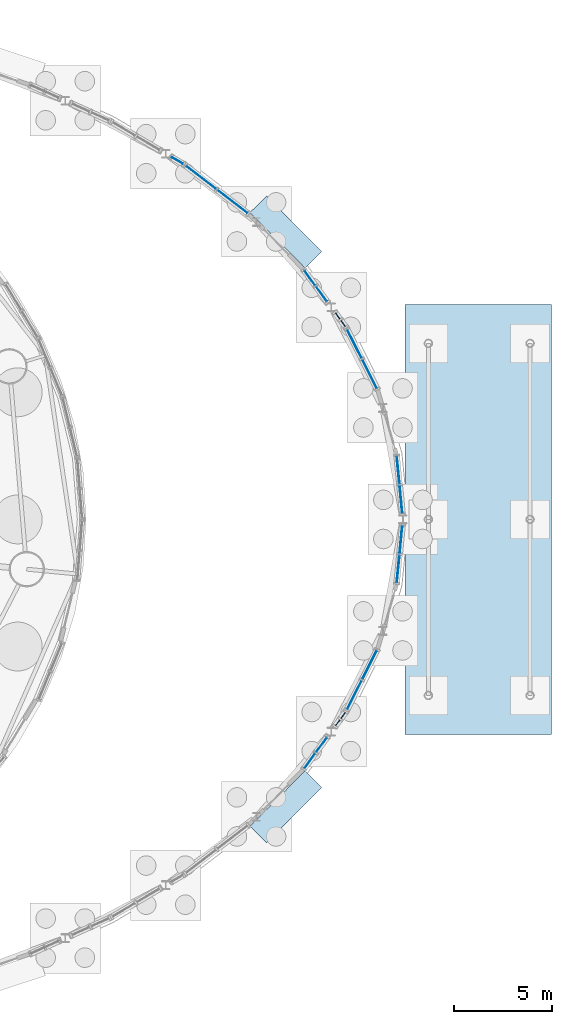
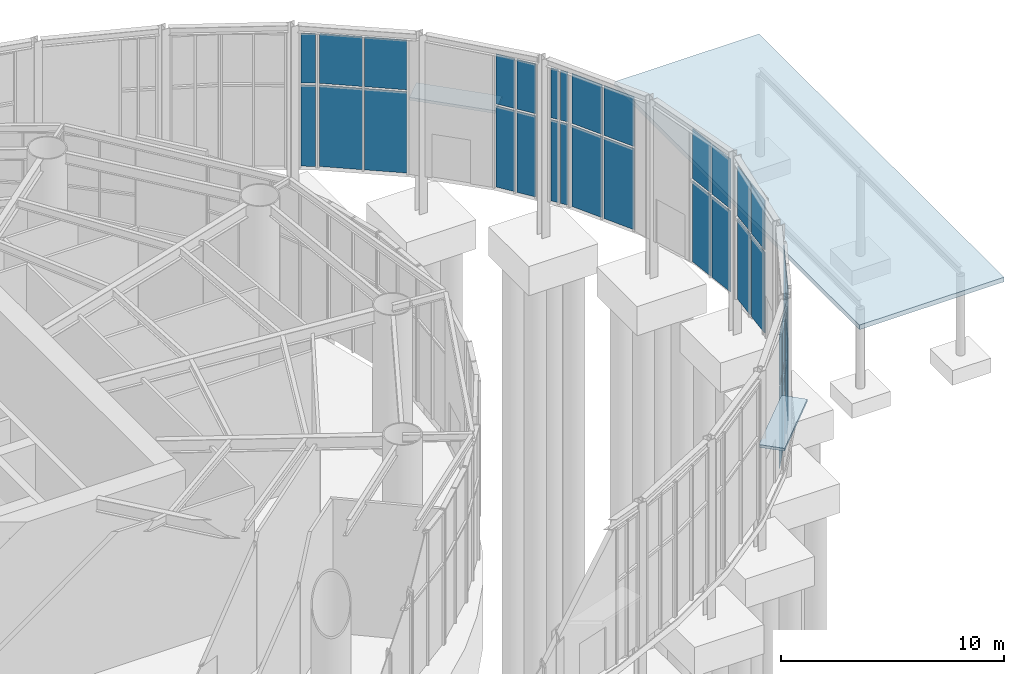
# One storey, part 20 of 27: 41 plates, 10 elements without a shape of their own.
"""IFC4 building model written with IfcOpenShell, lengths in metres."""

from ifc_helpers import new_model, si_unit, direction, frame, origin, origin_2d, place, context, subcontext, project, spatial, rectangle, extrude, material, layer, layer_set, type_object, element, aggregate, save


model = new_model("IFC4")

# Units and contexts
model_context = context("Model", 3, precision=1e-05, world=origin(), true_north=direction((0.0, 1.0)))
body_context = subcontext(model_context, "Body", "Model", "MODEL_VIEW")
ifc_project = project(units=[si_unit("LENGTHUNIT", "METRE"), si_unit("AREAUNIT", "SQUARE_METRE"), si_unit("VOLUMEUNIT", "CUBIC_METRE"), si_unit("PLANEANGLEUNIT", "RADIAN"), si_unit("MASSUNIT", "GRAM", prefix="KILO")], contexts=[model_context])

# Site, building, storey
site_placement = place(None, origin())
site = spatial("IfcSite", under=ifc_project, at=site_placement, CompositionType="ELEMENT")
building_placement = place(site_placement, origin())
building = spatial("IfcBuilding", under=site, at=building_placement, Name="Vermilion Reach Broadcast Tower", CompositionType="ELEMENT")
storey_placement = place(building_placement, origin())
storey = spatial("IfcBuildingStorey", under=building, at=storey_placement, Name="L00", CompositionType="ELEMENT", Elevation=0.0)

# Curtain wall, plates
ifc_material_1 = material(Name="Low-e laminated clear glass in aluminium frame", Category="aluminium")
curtain_wall_type = type_object("IfcCurtainWallType", Name="Atrium outer wall curtain wall", PredefinedType="NOTDEFINED", material=ifc_material_1)
placement = place(storey_placement, origin())
curtain_wall_1 = element("IfcCurtainWall", 1, at=placement, inside=storey, type_object=curtain_wall_type, Name="Atrium wall L00 01-1", PredefinedType="NOTDEFINED")
ifc_material_2 = material(Name="Low-e laminated clear glass", Category="glass")
ifc_layer_1 = layer(ifc_material_2, 0.035888671875)
ifc_layer_set_1 = layer_set([ifc_layer_1], Name="Atrium outer wall glass panel")
plate_type_1 = type_object("IfcPlateType", Name="Atrium outer wall glass panel", PredefinedType="CURTAIN_PANEL", material=ifc_layer_set_1)
plate_1_placement = place(storey_placement, frame((34.93359375, -12.3505859375, 0.0), z_axis=(0.0, 0.0, 1.0), x_axis=(0.590759824697, 0.806847463604, 0.0)))
plate_1 = element("IfcPlate", 2, at=plate_1_placement, type_object=plate_type_1, Name="Atrium wall glass panel L00 01-1.1.1", PredefinedType="CURTAIN_PANEL", context=body_context, shape_type="SweptSolid", body=[
    extrude(rectangle(XDim=0.92578125, YDim=0.035888671875, at=origin_2d()), origin(), (0.0, 0.0, 1.0), 4.43994140625),
])
plate_2_placement = place(storey_placement, frame((34.93359375, -12.3505859375, 4.56005859375), z_axis=(0.0, 0.0, 1.0), x_axis=(0.590759824697, 0.806847463604, 0.0)))
plate_2 = element("IfcPlate", 3, at=plate_2_placement, type_object=plate_type_1, Name="Atrium wall glass panel L00 01-1.1.2", PredefinedType="CURTAIN_PANEL", context=body_context, shape_type="SweptSolid", body=[
    extrude(rectangle(XDim=0.92578125, YDim=0.035888671875, at=origin_2d()), origin(), (0.0, 0.0, 1.0), 2.72998046875),
])
plate_3_placement = place(storey_placement, frame((35.539794921875, -11.52294921875, 0.0), z_axis=(0.0, 0.0, 1.0), x_axis=(0.590759824697, 0.806847463604, 0.0)))
plate_3 = element("IfcPlate", 4, at=plate_3_placement, type_object=plate_type_1, Name="Atrium wall glass panel L00 01-1.2.1", PredefinedType="CURTAIN_PANEL", context=body_context, shape_type="SweptSolid", body=[
    extrude(rectangle(XDim=0.92578125, YDim=0.035888671875, at=origin_2d()), origin(), (0.0, 0.0, 1.0), 4.43994140625),
])
plate_4_placement = place(storey_placement, frame((35.539794921875, -11.52294921875, 4.56005859375), z_axis=(0.0, 0.0, 1.0), x_axis=(0.590759824697, 0.806847463604, 0.0)))
plate_4 = element("IfcPlate", 5, at=plate_4_placement, type_object=plate_type_1, Name="Atrium wall glass panel L00 01-1.2.2", PredefinedType="CURTAIN_PANEL", context=body_context, shape_type="SweptSolid", body=[
    extrude(rectangle(XDim=0.92578125, YDim=0.035888671875, at=origin_2d()), origin(), (0.0, 0.0, 1.0), 2.72998046875),
])
aggregate(curtain_wall_1, [plate_1, plate_2, plate_3, plate_4])

curtain_wall_2 = element("IfcCurtainWall", 6, at=placement, inside=storey, type_object=curtain_wall_type, Name="Atrium wall L00 01-2", PredefinedType="NOTDEFINED")
plate_5_placement = place(storey_placement, frame((36.36328125, -10.39794921875, 0.0), z_axis=(0.0, 0.0, 1.0), x_axis=(0.590759824697, 0.806847463604, 0.0)))
plate_5 = element("IfcPlate", 7, at=plate_5_placement, type_object=plate_type_1, Name="Atrium wall glass panel L00 01-2.1.1", PredefinedType="CURTAIN_PANEL", context=body_context, shape_type="SweptSolid", body=[
    extrude(rectangle(XDim=0.36669921875, YDim=0.035888671875, at=origin_2d()), origin(), (0.0, 0.0, 1.0), 4.43994140625),
])
plate_6_placement = place(storey_placement, frame((36.36328125, -10.39794921875, 4.56005859375), z_axis=(0.0, 0.0, 1.0), x_axis=(0.590759824697, 0.806847463604, 0.0)))
plate_6 = element("IfcPlate", 8, at=plate_6_placement, type_object=plate_type_1, Name="Atrium wall glass panel L00 01-2.1.2", PredefinedType="CURTAIN_PANEL", context=body_context, shape_type="SweptSolid", body=[
    extrude(rectangle(XDim=0.36669921875, YDim=0.035888671875, at=origin_2d()), origin(), (0.0, 0.0, 1.0), 2.72998046875),
])
plate_7_placement = place(storey_placement, frame((36.63916015625, -10.021240234375, 0.0), z_axis=(0.0, 0.0, 1.0), x_axis=(0.590759824697, 0.806847463604, 0.0)))
plate_7 = element("IfcPlate", 9, at=plate_7_placement, type_object=plate_type_1, Name="Atrium wall glass panel L00 01-2.2.1", PredefinedType="CURTAIN_PANEL", context=body_context, shape_type="SweptSolid", body=[
    extrude(rectangle(XDim=0.36669921875, YDim=0.035888671875, at=origin_2d()), origin(), (0.0, 0.0, 1.0), 4.43994140625),
])
plate_8_placement = place(storey_placement, frame((36.63916015625, -10.021240234375, 4.56005859375), z_axis=(0.0, 0.0, 1.0), x_axis=(0.590759824697, 0.806847463604, 0.0)))
plate_8 = element("IfcPlate", 10, at=plate_8_placement, type_object=plate_type_1, Name="Atrium wall glass panel L00 01-2.2.2", PredefinedType="CURTAIN_PANEL", context=body_context, shape_type="SweptSolid", body=[
    extrude(rectangle(XDim=0.36669921875, YDim=0.035888671875, at=origin_2d()), origin(), (0.0, 0.0, 1.0), 2.72998046875),
])
aggregate(curtain_wall_2, [plate_5, plate_6, plate_7, plate_8])

curtain_wall_3 = element("IfcCurtainWall", 11, at=placement, inside=storey, type_object=curtain_wall_type, Name="Atrium wall L00 02", PredefinedType="NOTDEFINED")
plate_9_placement = place(storey_placement, frame((37.2177734375, -8.976806640625, 0.0), z_axis=(0.0, 0.0, 1.0), x_axis=(0.450071784356, 0.892992378986, 0.0)))
plate_9 = element("IfcPlate", 12, at=plate_9_placement, type_object=plate_type_1, Name="Atrium wall glass panel L00 02.1.1", PredefinedType="CURTAIN_PANEL", context=body_context, shape_type="SweptSolid", body=[
    extrude(rectangle(XDim=1.627197265625, YDim=0.035888671875, at=origin_2d()), origin(), (0.0, 0.0, 1.0), 4.43994140625),
])
plate_10_placement = place(storey_placement, frame((37.2177734375, -8.976806640625, 4.56005859375), z_axis=(0.0, 0.0, 1.0), x_axis=(0.450071784356, 0.892992378986, 0.0)))
plate_10 = element("IfcPlate", 13, at=plate_10_placement, type_object=plate_type_1, Name="Atrium wall glass panel L00 02.1.2", PredefinedType="CURTAIN_PANEL", context=body_context, shape_type="SweptSolid", body=[
    extrude(rectangle(XDim=1.627197265625, YDim=0.035888671875, at=origin_2d()), origin(), (0.0, 0.0, 1.0), 2.72998046875),
])
plate_11_placement = place(storey_placement, frame((37.9951171875, -7.434326171875, 0.0), z_axis=(0.0, 0.0, 1.0), x_axis=(0.450071784356, 0.892992378986, 0.0)))
plate_11 = element("IfcPlate", 14, at=plate_11_placement, type_object=plate_type_1, Name="Atrium wall glass panel L00 02.2.1", PredefinedType="CURTAIN_PANEL", context=body_context, shape_type="SweptSolid", body=[
    extrude(rectangle(XDim=1.627197265625, YDim=0.035888671875, at=origin_2d()), origin(), (0.0, 0.0, 1.0), 4.43994140625),
])
plate_12_placement = place(storey_placement, frame((37.9951171875, -7.434326171875, 4.56005859375), z_axis=(0.0, 0.0, 1.0), x_axis=(0.450071784356, 0.892992378986, 0.0)))
plate_12 = element("IfcPlate", 15, at=plate_12_placement, type_object=plate_type_1, Name="Atrium wall glass panel L00 02.2.2", PredefinedType="CURTAIN_PANEL", context=body_context, shape_type="SweptSolid", body=[
    extrude(rectangle(XDim=1.627197265625, YDim=0.035888671875, at=origin_2d()), origin(), (0.0, 0.0, 1.0), 2.72998046875),
])
aggregate(curtain_wall_3, [plate_9, plate_10, plate_11, plate_12])

curtain_wall_4 = element("IfcCurtainWall", 16, at=placement, inside=storey, type_object=curtain_wall_type, Name="Atrium wall L00 01", PredefinedType="NOTDEFINED")
plate_13_placement = place(storey_placement, frame((39.4541015625, -2.530517578125, 0.0), z_axis=(0.0, 0.0, 1.0), x_axis=(0.096860665643, 0.995297951094, 0.0)))
plate_13 = element("IfcPlate", 17, at=plate_13_placement, type_object=plate_type_1, Name="Atrium wall glass panel L00 01.1.1", PredefinedType="CURTAIN_PANEL", context=body_context, shape_type="SweptSolid", body=[
    extrude(rectangle(XDim=1.4189453125, YDim=0.035888671875, at=origin_2d()), origin(), (0.0, 0.0, 1.0), 4.43994140625),
])
plate_14_placement = place(storey_placement, frame((39.4541015625, -2.530517578125, 4.56005859375), z_axis=(0.0, 0.0, 1.0), x_axis=(0.096860665643, 0.995297951094, 0.0)))
plate_14 = element("IfcPlate", 18, at=plate_14_placement, type_object=plate_type_1, Name="Atrium wall glass panel L00 01.1.2", PredefinedType="CURTAIN_PANEL", context=body_context, shape_type="SweptSolid", body=[
    extrude(rectangle(XDim=1.4189453125, YDim=0.035888671875, at=origin_2d()), origin(), (0.0, 0.0, 1.0), 2.72998046875),
])
plate_15_placement = place(storey_placement, frame((39.601318359375, -1.0185546875, 0.0), z_axis=(0.0, 0.0, 1.0), x_axis=(0.096860665643, 0.995297951094, 0.0)))
plate_15 = element("IfcPlate", 19, at=plate_15_placement, type_object=plate_type_1, Name="Atrium wall glass panel L00 01.2.1", PredefinedType="CURTAIN_PANEL", context=body_context, shape_type="SweptSolid", body=[
    extrude(rectangle(XDim=1.4189453125, YDim=0.035888671875, at=origin_2d()), origin(), (0.0, 0.0, 1.0), 4.43994140625),
])
plate_16_placement = place(storey_placement, frame((39.601318359375, -1.0185546875, 4.56005859375), z_axis=(0.0, 0.0, 1.0), x_axis=(0.096860665643, 0.995297951094, 0.0)))
plate_16 = element("IfcPlate", 20, at=plate_16_placement, type_object=plate_type_1, Name="Atrium wall glass panel L00 01.2.2", PredefinedType="CURTAIN_PANEL", context=body_context, shape_type="SweptSolid", body=[
    extrude(rectangle(XDim=1.4189453125, YDim=0.035888671875, at=origin_2d()), origin(), (0.0, 0.0, 1.0), 2.72998046875),
])
aggregate(curtain_wall_4, [plate_13, plate_14, plate_15, plate_16])

curtain_wall_5 = element("IfcCurtainWall", 21, at=placement, inside=storey, type_object=curtain_wall_type, Name="Atrium wall L00 02", PredefinedType="NOTDEFINED")
plate_17_placement = place(storey_placement, frame((39.601318359375, 1.0185546875, 0.0), z_axis=(0.0, 0.0, 1.0), x_axis=(-0.096860665643, 0.995297951094, 0.0)))
plate_17 = element("IfcPlate", 22, at=plate_17_placement, type_object=plate_type_1, Name="Atrium wall glass panel L00 02.1.1", PredefinedType="CURTAIN_PANEL", context=body_context, shape_type="SweptSolid", body=[
    extrude(rectangle(XDim=1.4189453125, YDim=0.035888671875, at=origin_2d()), origin(), (0.0, 0.0, 1.0), 4.43994140625),
])
plate_18_placement = place(storey_placement, frame((39.601318359375, 1.0185546875, 4.56005859375), z_axis=(0.0, 0.0, 1.0), x_axis=(-0.096860665643, 0.995297951094, 0.0)))
plate_18 = element("IfcPlate", 23, at=plate_18_placement, type_object=plate_type_1, Name="Atrium wall glass panel L00 02.1.2", PredefinedType="CURTAIN_PANEL", context=body_context, shape_type="SweptSolid", body=[
    extrude(rectangle(XDim=1.4189453125, YDim=0.035888671875, at=origin_2d()), origin(), (0.0, 0.0, 1.0), 2.72998046875),
])
plate_19_placement = place(storey_placement, frame((39.4541015625, 2.530517578125, 0.0), z_axis=(0.0, 0.0, 1.0), x_axis=(-0.096860665643, 0.995297951094, 0.0)))
plate_19 = element("IfcPlate", 24, at=plate_19_placement, type_object=plate_type_1, Name="Atrium wall glass panel L00 02.2.1", PredefinedType="CURTAIN_PANEL", context=body_context, shape_type="SweptSolid", body=[
    extrude(rectangle(XDim=1.4189453125, YDim=0.035888671875, at=origin_2d()), origin(), (0.0, 0.0, 1.0), 4.43994140625),
])
plate_20_placement = place(storey_placement, frame((39.4541015625, 2.530517578125, 4.56005859375), z_axis=(0.0, 0.0, 1.0), x_axis=(-0.096860665643, 0.995297951094, 0.0)))
plate_20 = element("IfcPlate", 25, at=plate_20_placement, type_object=plate_type_1, Name="Atrium wall glass panel L00 02.2.2", PredefinedType="CURTAIN_PANEL", context=body_context, shape_type="SweptSolid", body=[
    extrude(rectangle(XDim=1.4189453125, YDim=0.035888671875, at=origin_2d()), origin(), (0.0, 0.0, 1.0), 2.72998046875),
])
aggregate(curtain_wall_5, [plate_17, plate_18, plate_19, plate_20])

curtain_wall_6 = element("IfcCurtainWall", 26, at=placement, inside=storey, type_object=curtain_wall_type, Name="Atrium wall L00 01", PredefinedType="NOTDEFINED")
plate_21_placement = place(storey_placement, frame((37.9951171875, 7.434326171875, 0.0), z_axis=(0.0, 0.0, 1.0), x_axis=(-0.450071784356, 0.892992378986, 0.0)))
plate_21 = element("IfcPlate", 27, at=plate_21_placement, type_object=plate_type_1, Name="Atrium wall glass panel L00 01.1.1", PredefinedType="CURTAIN_PANEL", context=body_context, shape_type="SweptSolid", body=[
    extrude(rectangle(XDim=1.627197265625, YDim=0.035888671875, at=origin_2d()), origin(), (0.0, 0.0, 1.0), 4.43994140625),
])
plate_22_placement = place(storey_placement, frame((37.9951171875, 7.434326171875, 4.56005859375), z_axis=(0.0, 0.0, 1.0), x_axis=(-0.450071784356, 0.892992378986, 0.0)))
plate_22 = element("IfcPlate", 28, at=plate_22_placement, type_object=plate_type_1, Name="Atrium wall glass panel L00 01.1.2", PredefinedType="CURTAIN_PANEL", context=body_context, shape_type="SweptSolid", body=[
    extrude(rectangle(XDim=1.627197265625, YDim=0.035888671875, at=origin_2d()), origin(), (0.0, 0.0, 1.0), 2.72998046875),
])
plate_23_placement = place(storey_placement, frame((37.2177734375, 8.976806640625, 0.0), z_axis=(0.0, 0.0, 1.0), x_axis=(-0.450071784356, 0.892992378986, 0.0)))
plate_23 = element("IfcPlate", 29, at=plate_23_placement, type_object=plate_type_1, Name="Atrium wall glass panel L00 01.2.1", PredefinedType="CURTAIN_PANEL", context=body_context, shape_type="SweptSolid", body=[
    extrude(rectangle(XDim=1.627197265625, YDim=0.035888671875, at=origin_2d()), origin(), (0.0, 0.0, 1.0), 4.43994140625),
])
plate_24_placement = place(storey_placement, frame((37.2177734375, 8.976806640625, 4.56005859375), z_axis=(0.0, 0.0, 1.0), x_axis=(-0.450071784356, 0.892992378986, 0.0)))
plate_24 = element("IfcPlate", 30, at=plate_24_placement, type_object=plate_type_1, Name="Atrium wall glass panel L00 01.2.2", PredefinedType="CURTAIN_PANEL", context=body_context, shape_type="SweptSolid", body=[
    extrude(rectangle(XDim=1.627197265625, YDim=0.035888671875, at=origin_2d()), origin(), (0.0, 0.0, 1.0), 2.72998046875),
])
aggregate(curtain_wall_6, [plate_21, plate_22, plate_23, plate_24])

curtain_wall_7 = element("IfcCurtainWall", 31, at=placement, inside=storey, type_object=curtain_wall_type, Name="Atrium wall L00 02-1", PredefinedType="NOTDEFINED")
plate_25_placement = place(storey_placement, frame((36.63916015625, 10.021240234375, 0.0), z_axis=(0.0, 0.0, 1.0), x_axis=(-0.590759824697, 0.806847463604, 0.0)))
plate_25 = element("IfcPlate", 32, at=plate_25_placement, type_object=plate_type_1, Name="Atrium wall glass panel L00 02-1.1.1", PredefinedType="CURTAIN_PANEL", context=body_context, shape_type="SweptSolid", body=[
    extrude(rectangle(XDim=0.36669921875, YDim=0.035888671875, at=origin_2d()), origin(), (0.0, 0.0, 1.0), 4.43994140625),
])
plate_26_placement = place(storey_placement, frame((36.63916015625, 10.021240234375, 4.56005859375), z_axis=(0.0, 0.0, 1.0), x_axis=(-0.590759824697, 0.806847463604, 0.0)))
plate_26 = element("IfcPlate", 33, at=plate_26_placement, type_object=plate_type_1, Name="Atrium wall glass panel L00 02-1.1.2", PredefinedType="CURTAIN_PANEL", context=body_context, shape_type="SweptSolid", body=[
    extrude(rectangle(XDim=0.36669921875, YDim=0.035888671875, at=origin_2d()), origin(), (0.0, 0.0, 1.0), 2.72998046875),
])
plate_27_placement = place(storey_placement, frame((36.36328125, 10.39794921875, 0.0), z_axis=(0.0, 0.0, 1.0), x_axis=(-0.590759824697, 0.806847463604, 0.0)))
plate_27 = element("IfcPlate", 34, at=plate_27_placement, type_object=plate_type_1, Name="Atrium wall glass panel L00 02-1.2.1", PredefinedType="CURTAIN_PANEL", context=body_context, shape_type="SweptSolid", body=[
    extrude(rectangle(XDim=0.36669921875, YDim=0.035888671875, at=origin_2d()), origin(), (0.0, 0.0, 1.0), 4.43994140625),
])
plate_28_placement = place(storey_placement, frame((36.36328125, 10.39794921875, 4.56005859375), z_axis=(0.0, 0.0, 1.0), x_axis=(-0.590759824697, 0.806847463604, 0.0)))
plate_28 = element("IfcPlate", 35, at=plate_28_placement, type_object=plate_type_1, Name="Atrium wall glass panel L00 02-1.2.2", PredefinedType="CURTAIN_PANEL", context=body_context, shape_type="SweptSolid", body=[
    extrude(rectangle(XDim=0.36669921875, YDim=0.035888671875, at=origin_2d()), origin(), (0.0, 0.0, 1.0), 2.72998046875),
])
aggregate(curtain_wall_7, [plate_25, plate_26, plate_27, plate_28])

curtain_wall_8 = element("IfcCurtainWall", 36, at=placement, inside=storey, type_object=curtain_wall_type, Name="Atrium wall L00 02-2", PredefinedType="NOTDEFINED")
plate_29_placement = place(storey_placement, frame((35.539794921875, 11.52294921875, 0.0), z_axis=(0.0, 0.0, 1.0), x_axis=(-0.590759824697, 0.806847463604, 0.0)))
plate_29 = element("IfcPlate", 37, at=plate_29_placement, type_object=plate_type_1, Name="Atrium wall glass panel L00 02-2.1.1", PredefinedType="CURTAIN_PANEL", context=body_context, shape_type="SweptSolid", body=[
    extrude(rectangle(XDim=0.92578125, YDim=0.035888671875, at=origin_2d()), origin(), (0.0, 0.0, 1.0), 4.43994140625),
])
plate_30_placement = place(storey_placement, frame((35.539794921875, 11.52294921875, 4.56005859375), z_axis=(0.0, 0.0, 1.0), x_axis=(-0.590759824697, 0.806847463604, 0.0)))
plate_30 = element("IfcPlate", 38, at=plate_30_placement, type_object=plate_type_1, Name="Atrium wall glass panel L00 02-2.1.2", PredefinedType="CURTAIN_PANEL", context=body_context, shape_type="SweptSolid", body=[
    extrude(rectangle(XDim=0.92578125, YDim=0.035888671875, at=origin_2d()), origin(), (0.0, 0.0, 1.0), 2.72998046875),
])
plate_31_placement = place(storey_placement, frame((34.93359375, 12.3505859375, 0.0), z_axis=(0.0, 0.0, 1.0), x_axis=(-0.590759824697, 0.806847463604, 0.0)))
plate_31 = element("IfcPlate", 39, at=plate_31_placement, type_object=plate_type_1, Name="Atrium wall glass panel L00 02-2.2.1", PredefinedType="CURTAIN_PANEL", context=body_context, shape_type="SweptSolid", body=[
    extrude(rectangle(XDim=0.92578125, YDim=0.035888671875, at=origin_2d()), origin(), (0.0, 0.0, 1.0), 4.43994140625),
])
plate_32_placement = place(storey_placement, frame((34.93359375, 12.3505859375, 4.56005859375), z_axis=(0.0, 0.0, 1.0), x_axis=(-0.590759824697, 0.806847463604, 0.0)))
plate_32 = element("IfcPlate", 40, at=plate_32_placement, type_object=plate_type_1, Name="Atrium wall glass panel L00 02-2.2.2", PredefinedType="CURTAIN_PANEL", context=body_context, shape_type="SweptSolid", body=[
    extrude(rectangle(XDim=0.92578125, YDim=0.035888671875, at=origin_2d()), origin(), (0.0, 0.0, 1.0), 2.72998046875),
])
aggregate(curtain_wall_8, [plate_29, plate_30, plate_31, plate_32])

curtain_wall_9 = element("IfcCurtainWall", 41, at=placement, inside=storey, type_object=curtain_wall_type, Name="Atrium wall L00 01", PredefinedType="NOTDEFINED")
plate_33_placement = place(storey_placement, frame((30.981201171875, 16.2509765625, 0.0), z_axis=(0.0, 0.0, 1.0), x_axis=(-0.793082736826, 0.609113924113, 0.0)))
plate_33 = element("IfcPlate", 42, at=plate_33_placement, type_object=plate_type_1, Name="Atrium wall glass panel L00 01.1.1", PredefinedType="CURTAIN_PANEL", context=body_context, shape_type="SweptSolid", body=[
    extrude(rectangle(XDim=1.9296875, YDim=0.035888671875, at=origin_2d()), origin(), (0.0, 0.0, 1.0), 4.43994140625),
])
plate_34_placement = place(storey_placement, frame((30.981201171875, 16.2509765625, 4.56005859375), z_axis=(0.0, 0.0, 1.0), x_axis=(-0.793082736826, 0.609113924113, 0.0)))
plate_34 = element("IfcPlate", 43, at=plate_34_placement, type_object=plate_type_1, Name="Atrium wall glass panel L00 01.1.2", PredefinedType="CURTAIN_PANEL", context=body_context, shape_type="SweptSolid", body=[
    extrude(rectangle(XDim=1.9296875, YDim=0.035888671875, at=origin_2d()), origin(), (0.0, 0.0, 1.0), 2.72998046875),
])
plate_35_placement = place(storey_placement, frame((29.37158203125, 17.4873046875, 0.0), z_axis=(0.0, 0.0, 1.0), x_axis=(-0.793082736826, 0.609113924113, 0.0)))
plate_35 = element("IfcPlate", 44, at=plate_35_placement, type_object=plate_type_1, Name="Atrium wall glass panel L00 01.2.1", PredefinedType="CURTAIN_PANEL", context=body_context, shape_type="SweptSolid", body=[
    extrude(rectangle(XDim=1.9296875, YDim=0.035888671875, at=origin_2d()), origin(), (0.0, 0.0, 1.0), 4.43994140625),
])
plate_36_placement = place(storey_placement, frame((29.37158203125, 17.4873046875, 4.56005859375), z_axis=(0.0, 0.0, 1.0), x_axis=(-0.793082736826, 0.609113924113, 0.0)))
plate_36 = element("IfcPlate", 45, at=plate_36_placement, type_object=plate_type_1, Name="Atrium wall glass panel L00 01.2.2", PredefinedType="CURTAIN_PANEL", context=body_context, shape_type="SweptSolid", body=[
    extrude(rectangle(XDim=1.9296875, YDim=0.035888671875, at=origin_2d()), origin(), (0.0, 0.0, 1.0), 2.72998046875),
])
aggregate(curtain_wall_9, [plate_33, plate_34, plate_35, plate_36])

curtain_wall_10 = element("IfcCurtainWall", 46, at=placement, inside=storey, type_object=curtain_wall_type, Name="Atrium wall L00 02-1", PredefinedType="NOTDEFINED")
plate_37_placement = place(storey_placement, frame((28.166748046875, 18.348876953125, 0.0), z_axis=(0.0, 0.0, 1.0), x_axis=(-0.861009057017, 0.508589622127, 0.0)))
plate_37 = element("IfcPlate", 47, at=plate_37_placement, type_object=plate_type_1, Name="Atrium wall glass panel L00 02-1.1.1", PredefinedType="CURTAIN_PANEL", context=body_context, shape_type="SweptSolid", body=[
    extrude(rectangle(XDim=0.636474609375, YDim=0.035888671875, at=origin_2d()), origin(), (0.0, 0.0, 1.0), 4.43994140625),
])
plate_38_placement = place(storey_placement, frame((28.166748046875, 18.348876953125, 4.56005859375), z_axis=(0.0, 0.0, 1.0), x_axis=(-0.861009057017, 0.508589622127, 0.0)))
plate_38 = element("IfcPlate", 48, at=plate_38_placement, type_object=plate_type_1, Name="Atrium wall glass panel L00 02-1.1.2", PredefinedType="CURTAIN_PANEL", context=body_context, shape_type="SweptSolid", body=[
    extrude(rectangle(XDim=0.636474609375, YDim=0.035888671875, at=origin_2d()), origin(), (0.0, 0.0, 1.0), 2.72998046875),
])
aggregate(curtain_wall_10, [plate_37, plate_38])

# Plates
ifc_material_3 = material(Name="Laminated glass canopy", Category="glass")
ifc_layer_2 = layer(ifc_material_3, 0.25)
ifc_layer_set_2 = layer_set([ifc_layer_2], Name="Drop-off glass canopy 250")
plate_type_2 = type_object("IfcPlateType", Name="Drop-off glass canopy 250", PredefinedType="SHEET", material=ifc_layer_set_2)
plate_39_placement = place(storey_placement, frame((43.550048828125, 0.0, 4.75), z_axis=(0.0, 0.0, 1.0), x_axis=(1.0, 0.0, 0.0)))
element("IfcPlate", 49, at=plate_39_placement, inside=storey, type_object=plate_type_2, Name="Drop-off canopy", PredefinedType="SHEET", context=body_context, shape_type="SweptSolid", body=[
    extrude(rectangle(XDim=7.5, YDim=22.0, at=origin_2d()), origin(), (0.0, 0.0, 1.0), 0.25),
])
ifc_material_4 = material(Name="Laminated glass canopy", Category="glass")
ifc_layer_3 = layer(ifc_material_4, 0.14990234375)
ifc_layer_set_3 = layer_set([ifc_layer_3], Name="Entrance canopy 150")
plate_type_3 = type_object("IfcPlateType", Name="Entrance canopy 150", PredefinedType="SHEET", material=ifc_layer_set_3)
for number, where, z_axis, x_axis, name in (
    (50, (33.710693359375, -14.6962890625, 3.925048828125), (0.0, 0.0, 1.0), (-0.704276337997, -0.709925939614, 0.0), "Entrance canopy atr06"),
    (51, (33.710205078125, 14.69677734375, 3.925048828125), (0.0, 0.0, 1.0), (0.704276337997, -0.709925939614, 0.0), "Entrance canopy atr15"),
):
    element("IfcPlate", number, at=place(storey_placement, frame(where, z_axis=z_axis, x_axis=x_axis)), inside=storey, type_object=plate_type_3, Name=name, PredefinedType="SHEET", context=body_context, shape_type="SweptSolid", body=[
        extrude(rectangle(XDim=4.0, YDim=1.199951171875, at=origin_2d()), origin(), (0.0, 0.0, 1.0), 0.14990234375),
    ])

save(model, "model.ifc")
